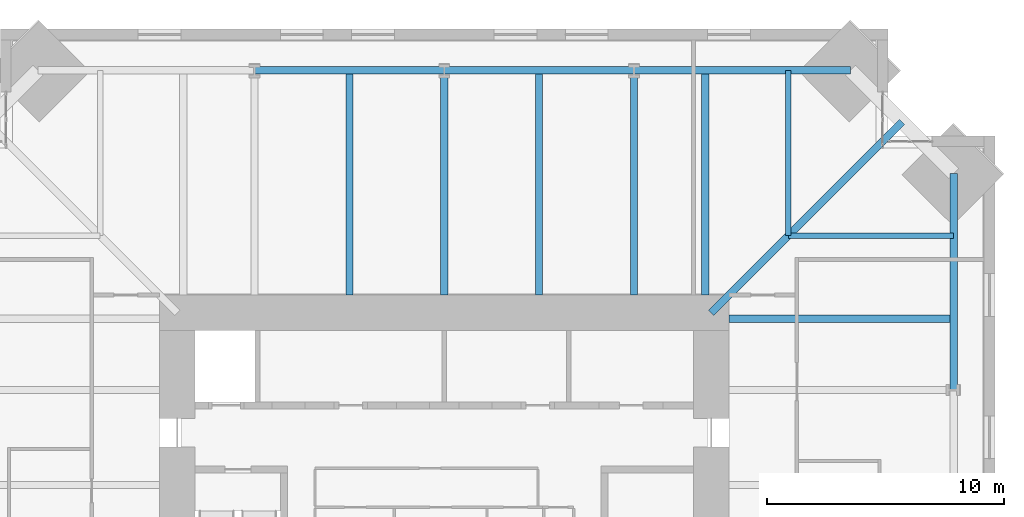
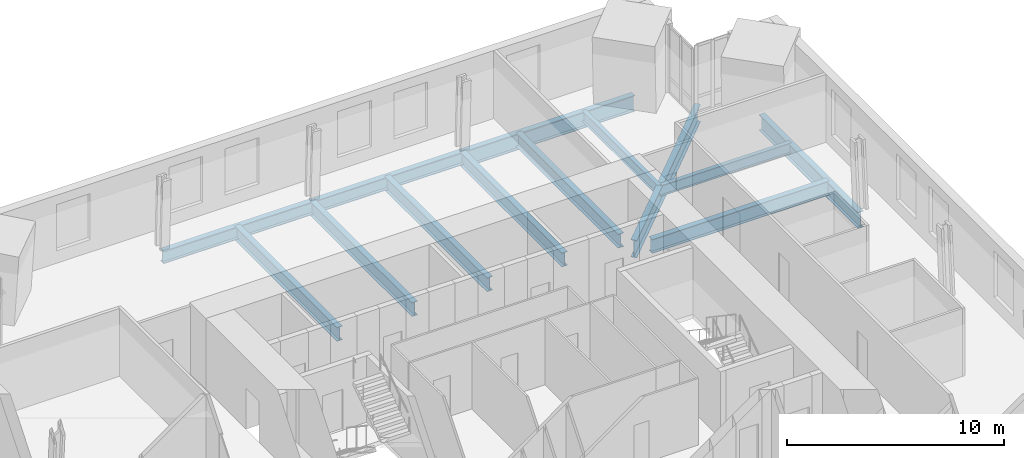
# One storey, part 7 of 15: 13 beams.
"""IFC4 building model written with IfcOpenShell, lengths in metres."""

from ifc_helpers import new_model, si_unit, direction, frame, origin, origin_2d, place, context, subcontext, project, spatial, i_section, extrude, material, material_profile, profile_set, type_object, element, save


model = new_model("IFC4")

# Units and contexts
model_context = context("Model", 3, precision=1e-05, world=origin(), true_north=direction((0.0, 1.0)))
body_context = subcontext(model_context, "Body", "Model", "MODEL_VIEW")
ifc_project = project(units=[si_unit("LENGTHUNIT", "METRE"), si_unit("AREAUNIT", "SQUARE_METRE"), si_unit("VOLUMEUNIT", "CUBIC_METRE"), si_unit("PLANEANGLEUNIT", "RADIAN"), si_unit("MASSUNIT", "GRAM", prefix="KILO")], contexts=[model_context])

# Site, building, storey
site_placement = place(None, origin())
site = spatial("IfcSite", under=ifc_project, at=site_placement, CompositionType="ELEMENT")
building_placement = place(site_placement, origin())
building = spatial("IfcBuilding", under=site, at=building_placement, Name="Peilmerk Tower", CompositionType="ELEMENT")
storey_placement = place(building_placement, frame((0.0, 0.0, 233.800048828125)))
storey = spatial("IfcBuildingStorey", under=building, at=storey_placement, Name="L51", CompositionType="ELEMENT", Elevation=233.800048828125)

# Beams
ifc_material = material(Name="Steel S355", Category="steel")
ifc_material_profile_1 = material_profile(ifc_material, i_section(OverallWidth=0.219970703125, OverallDepth=0.60009765625, WebThickness=0.011962890625, FlangeThickness=0.01904296875, at=origin_2d()), Name="IPE 600")
ifc_profile_set_1 = profile_set([ifc_material_profile_1], Name="Steel S355")
beam_type_1 = type_object("IfcBeamType", Name="B10 IPE 600 floor beam", PredefinedType="BEAM", material=ifc_profile_set_1)
for number, where, z_axis, x_axis, name in (
    (1, (14.5, 14.5, -0.469970703125), (0.0, 1.0, 0.0), (-1.0, 0.0, 0.0), "Floor beam L51"),
    (2, (14.5, 14.5, -0.469970703125), (1.0, 0.0, 0.0), (0.0, 1.0, 0.0), "Floor beam L51"),
):
    element("IfcBeam", number, at=place(storey_placement, frame(where, z_axis=z_axis, x_axis=x_axis)), inside=storey, type_object=beam_type_1, Name=name, PredefinedType="BEAM", context=body_context, shape_type="SweptSolid", body=[
        extrude(i_section(OverallWidth=0.219970703125, OverallDepth=0.60009765625, WebThickness=0.011962890625, FlangeThickness=0.01904296875, at=origin_2d()), origin(), (0.0, 0.0, 1.0), 6.96923828125),
    ])
ifc_material_profile_2 = material_profile(ifc_material, i_section(OverallWidth=0.300048828125, OverallDepth=0.989990234375, WebThickness=0.0166015625, FlangeThickness=0.031005859375, at=origin_2d()), Name="HEA 1000")
ifc_profile_set_2 = profile_set([ifc_material_profile_2], Name="Steel S355")
beam_type_2 = type_object("IfcBeamType", Name="B14 HEA 1000 floor girder", PredefinedType="BEAM", material=ifc_profile_set_2)
beam_placement = place(storey_placement, frame((11.25, 11.25, -0.6650390625), z_axis=(0.707106781187, 0.707106781187, 0.0), x_axis=(-0.707106781187, 0.707106781187, 0.0)))
element("IfcBeam", 3, at=beam_placement, inside=storey, type_object=beam_type_2, Name="Corner girder L51", PredefinedType="BEAM", context=body_context, shape_type="SweptSolid", body=[
    extrude(i_section(OverallWidth=0.300048828125, OverallDepth=0.989990234375, WebThickness=0.0166015625, FlangeThickness=0.031005859375, at=origin_2d()), origin(), (0.0, 0.0, 1.0), 11.37646484375),
])
ifc_material_profile_3 = material_profile(ifc_material, i_section(OverallWidth=0.302001953125, OverallDepth=0.909912109375, WebThickness=0.02099609375, FlangeThickness=0.0400390625, at=origin_2d()), Name="HEM 900")
ifc_profile_set_3 = profile_set([ifc_material_profile_3], Name="Steel S355")
beam_type_3 = type_object("IfcBeamType", Name="B2 HEM 900 edge beam", PredefinedType="SPANDREL", material=ifc_profile_set_3)
for number, where, z_axis, x_axis, name in (
    (4, (17.119384765625, 21.46923828125, -0.625), (-1.0, 0.0, 0.0), (0.0, -1.0, 0.0), "Edge beam L51"),
    (5, (21.46923828125, 8.0, -0.625), (0.0, 1.0, 0.0), (-1.0, 0.0, 0.0), "Edge beam L51"),
):
    element("IfcBeam", number, at=place(storey_placement, frame(where, z_axis=z_axis, x_axis=x_axis)), inside=storey, type_object=beam_type_3, Name=name, PredefinedType="SPANDREL", context=body_context, shape_type="SweptSolid", body=[
        extrude(i_section(OverallWidth=0.302001953125, OverallDepth=0.909912109375, WebThickness=0.02099609375, FlangeThickness=0.0400390625, at=origin_2d()), origin(), (0.0, 0.0, 1.0), 9.119384765625),
    ])
ifc_material_profile_4 = material_profile(ifc_material, i_section(OverallWidth=0.300048828125, OverallDepth=0.7900390625, WebThickness=0.014892578125, FlangeThickness=0.028076171875, at=origin_2d()), Name="HEA 800")
ifc_profile_set_4 = profile_set([ifc_material_profile_4], Name="Steel S355")
beam_type_4 = type_object("IfcBeamType", Name="B3 HEA 800 floor beam", PredefinedType="BEAM", material=ifc_profile_set_4)
for number, where, z_axis, x_axis, name in (
    (6, (11.0, 12.0, -0.56494140625), (0.0, 1.0, 0.0), (-1.0, 0.0, 0.0), "Floor beam L51"),
    (7, (8.0, 12.0, -0.56494140625), (0.0, 1.0, 0.0), (-1.0, 0.0, 0.0), "Floor beam L51"),
    (8, (4.0, 12.0, -0.56494140625), (0.0, 1.0, 0.0), (-1.0, 0.0, 0.0), "Floor beam L51"),
    (9, (0.0, 12.0, -0.56494140625), (0.0, 1.0, 0.0), (-1.0, 0.0, 0.0), "Floor beam L51"),
    (10, (-4.0, 12.0, -0.56494140625), (0.0, 1.0, 0.0), (-1.0, 0.0, 0.0), "Floor beam L51"),
    (11, (12.0, 11.0, -0.56494140625), (1.0, 0.0, 0.0), (0.0, 1.0, 0.0), "Floor beam L51"),
):
    element("IfcBeam", number, at=place(storey_placement, frame(where, z_axis=z_axis, x_axis=x_axis)), inside=storey, type_object=beam_type_4, Name=name, PredefinedType="BEAM", context=body_context, shape_type="SweptSolid", body=[
        extrude(i_section(OverallWidth=0.300048828125, OverallDepth=0.7900390625, WebThickness=0.014892578125, FlangeThickness=0.028076171875, at=origin_2d()), origin(), (0.0, 0.0, 1.0), 9.46923828125),
    ])
ifc_material_profile_5 = material_profile(ifc_material, i_section(OverallWidth=0.303955078125, OverallDepth=0.716064453125, WebThickness=0.02099609375, FlangeThickness=0.0400390625, at=origin_2d()), Name="HEM 700")
ifc_profile_set_5 = profile_set([ifc_material_profile_5], Name="Steel S355")
beam_type_5 = type_object("IfcBeamType", Name="B30 HEM 700 edge beam", PredefinedType="SPANDREL", material=ifc_profile_set_5)
for number, where, z_axis, x_axis, name in (
    (12, (8.0, 21.46923828125, -0.528076171875), (-1.0, 0.0, 0.0), (0.0, -1.0, 0.0), "Edge beam L51"),
    (13, (0.0, 21.46923828125, -0.528076171875), (-1.0, 0.0, 0.0), (0.0, -1.0, 0.0), "Edge beam L51"),
):
    element("IfcBeam", number, at=place(storey_placement, frame(where, z_axis=z_axis, x_axis=x_axis)), inside=storey, type_object=beam_type_5, Name=name, PredefinedType="SPANDREL", context=body_context, shape_type="SweptSolid", body=[
        extrude(i_section(OverallWidth=0.303955078125, OverallDepth=0.716064453125, WebThickness=0.02099609375, FlangeThickness=0.0400390625, at=origin_2d()), origin(), (0.0, 0.0, 1.0), 8.0),
    ])

save(model, "model.ifc")
